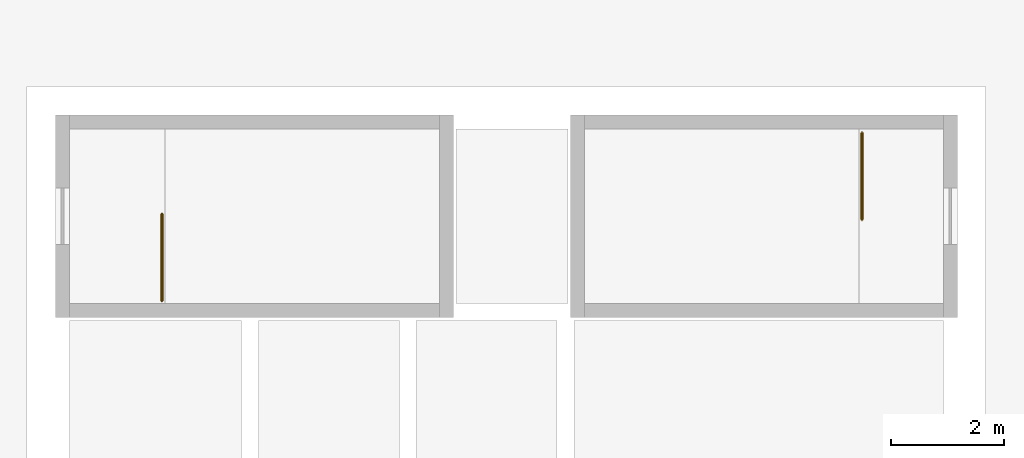
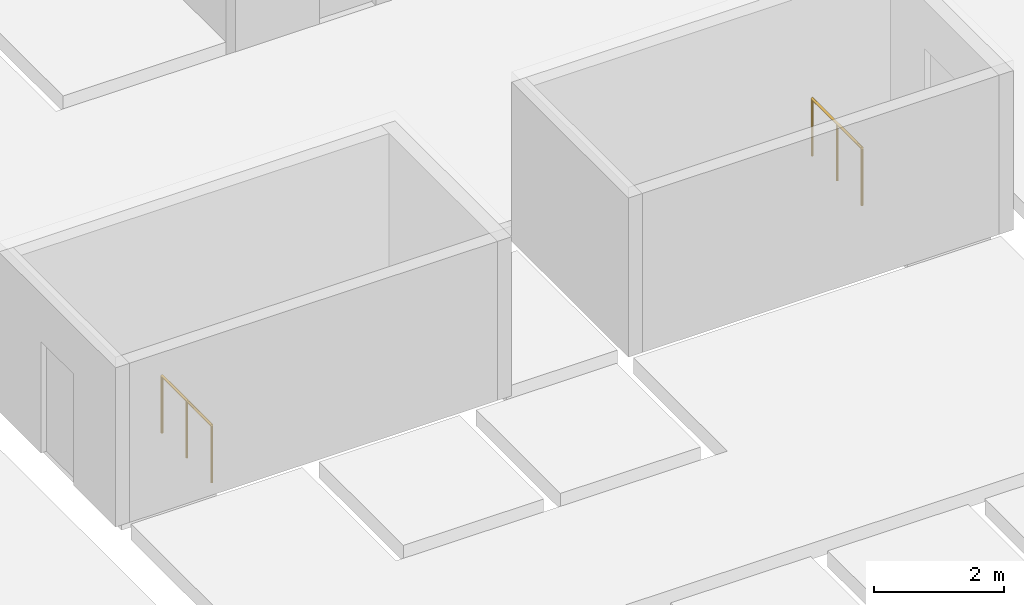
# One storey, part 12 of 12: 2 railings.
"""IFC4 building model written with IfcOpenShell, lengths in metres."""

import ifcopenshell
import ifcopenshell.guid

model = None  # the IFC model being written
_history = None  # IfcOwnerHistory: only IFC2X3 demands one
_inside = {}  # id of a spatial element -> (the spatial element, [elements in it])
_under = {}  # id of a project, library or spatial element -> (it, [spatial elements below it])
_declared = {}  # id of a project -> (the project, [libraries it declares])
_typed = {}  # id of a type object -> (the type object, [elements of that type])
_made_of = {}  # id of a material, layer set ... -> (it, [elements and type objects made of it])


def new_model(schema):
    """Start an empty IFC model of exactly this schema.

    Asked for "IFC4X3", IfcOpenShell would pick the latest addendum, in which some entities
    have other attributes; the version numbers below select the first issue.
    IFC2X3 requires an IfcOwnerHistory on every rooted entity: one is made here for all.
    """
    global model, _history
    if schema == "IFC4X3":
        model = ifcopenshell.file(schema_version=(4, 3, 0, 0))
    else:
        model = ifcopenshell.file(schema=schema)
    _inside.clear()
    _under.clear()
    _declared.clear()
    _typed.clear()
    _made_of.clear()
    _history = None
    if model.schema == "IFC2X3":
        org = make("IfcOrganization", Name="unknown")
        user = make(
            "IfcPersonAndOrganization",
            ThePerson=make("IfcPerson", FamilyName="unknown"),
            TheOrganization=org,
        )
        app = make(
            "IfcApplication",
            ApplicationDeveloper=org,
            Version="unknown",
            ApplicationFullName="unknown",
            ApplicationIdentifier="unknown",
        )
        _history = make(
            "IfcOwnerHistory",
            OwningUser=user,
            OwningApplication=app,
            ChangeAction="ADDED",
            CreationDate=0,
        )
    return model


def make(cls, **values):
    """One entity of the class cls with the attributes given. An attribute that is None is left unset."""
    return model.create_entity(
        cls, **{name: value for name, value in values.items() if value is not None}
    )


def rooted(cls, **values):
    """An entity with a GlobalId (a new one), such as an element, a storey or a relation."""
    return make(cls, GlobalId=ifcopenshell.guid.new(), OwnerHistory=_history, **values)


def si_unit(unit_type, name, prefix=None):
    """IfcSIUnit, for example si_unit("LENGTHUNIT", "METRE", prefix="MILLI")."""
    return make("IfcSIUnit", UnitType=unit_type, Prefix=prefix, Name=name)


def assignment(units):
    """IfcUnitAssignment: the units of a project."""
    return None if units is None else make("IfcUnitAssignment", Units=units)


def point(xyz):
    """IfcCartesianPoint."""
    return None if xyz is None else make("IfcCartesianPoint", Coordinates=xyz)


def direction(xyz):
    """IfcDirection."""
    return None if xyz is None else make("IfcDirection", DirectionRatios=xyz)


def frame(location, z_axis=None, x_axis=None):
    """IfcAxis2Placement3D, a coordinate frame: its origin and axes. An axis left out is left unset."""
    return make(
        "IfcAxis2Placement3D",
        Location=point(location),
        Axis=direction(z_axis),
        RefDirection=direction(x_axis),
    )


def frame_2d(location, x_axis=None):
    """IfcAxis2Placement2D, a coordinate frame in the plane: its origin and x axis."""
    return make(
        "IfcAxis2Placement2D", Location=point(location), RefDirection=direction(x_axis)
    )


def origin():
    """The frame at (0, 0, 0) with its axes left unset."""
    return frame((0.0, 0.0, 0.0))


def origin_2d():
    """The frame at (0, 0) in the plane with its x axis left unset."""
    return frame_2d((0.0, 0.0))


def place(relative_to, where):
    """IfcLocalPlacement: puts the frame where relative to a parent placement (None: the world)."""
    return make(
        "IfcLocalPlacement", PlacementRelTo=relative_to, RelativePlacement=where
    )


def context(
    kind, dimensions, precision=None, world=None, true_north=None, identifier=None
):
    """IfcGeometricRepresentationContext, for example the 3D "Model" context."""
    return make(
        "IfcGeometricRepresentationContext",
        ContextIdentifier=identifier,
        ContextType=kind,
        CoordinateSpaceDimension=dimensions,
        Precision=precision,
        WorldCoordinateSystem=world,
        TrueNorth=true_north,
    )


def subcontext(parent, identifier, kind, view, scale=None):
    """IfcGeometricRepresentationSubContext, for example "Body" below "Model"."""
    return make(
        "IfcGeometricRepresentationSubContext",
        ContextIdentifier=identifier,
        ContextType=kind,
        ParentContext=parent,
        TargetScale=scale,
        TargetView=view,
    )


def project(units=None, contexts=None):
    """IfcProject with its units and contexts."""
    return rooted(
        "IfcProject",
        Name="project",
        RepresentationContexts=contexts,
        UnitsInContext=assignment(units),
    )


def spatial(cls, under=None, at=None, **own):
    """A site, building, storey or space (cls), placed at a placement, below another one or the project."""
    s = rooted(cls, ObjectPlacement=at, **own)
    if under is not None:
        _under.setdefault(under.id(), (under, []))[1].append(s)
    return s


def profile(cls, at=None, kind="AREA", **sizes):
    """A parametric profile (cls). Its sizes go by their IFC names, for example OverallWidth=200.0."""
    return make(cls, ProfileType=kind, Position=at, **sizes)


def circle(**sizes):
    """IfcCircleProfileDef."""
    return profile("IfcCircleProfileDef", **sizes)


def extrude(swept, where, along, depth):
    """IfcExtrudedAreaSolid: the profile swept, set in the frame where, extruded along a direction by depth."""
    return make(
        "IfcExtrudedAreaSolid",
        SweptArea=swept,
        Position=where,
        ExtrudedDirection=direction(along),
        Depth=depth,
    )


def shape(context_of_items, identifier, shape_type, items):
    """IfcShapeRepresentation: the items that make up one representation, for example the "Body"."""
    return make(
        "IfcShapeRepresentation",
        ContextOfItems=context_of_items,
        RepresentationIdentifier=identifier,
        RepresentationType=shape_type,
        Items=items,
    )


def material(Name=None, Category=None):
    """IfcMaterial."""
    return make("IfcMaterial", Name=Name, Category=Category)


def made_of(thing, what):
    """Note that an element or type object is made of a material, layer set ...; save() writes the relation."""
    if what is not None:
        _made_of.setdefault(what.id(), (what, []))[1].append(thing)
    return thing


def type_object(cls, material=None, **own):
    """A type object (cls), such as IfcWallType, which elements share."""
    return made_of(rooted(cls, **own), material)


def element(
    cls,
    number,
    at=None,
    inside=None,
    cuts=None,
    type_object=None,
    material=None,
    context=None,
    identifier="Body",
    shape_type=None,
    held_by="IfcProductDefinitionShape",
    body=None,
    shapes=None,
    **own,
):
    """One element of the class cls, such as IfcWall. Its Tag is "e" and its number.

    at: its placement. inside: the storey or other place that contains it. cuts: it is an
    opening in that element (IfcRelVoidsElement). A single representation is given by context,
    identifier, shape_type and body (its items); several are given by shapes. held_by: the class
    of the entity that holds the representations. save() writes the other relations.
    """
    e = rooted(cls, Tag="e%d" % number, ObjectPlacement=at, **own)
    if body is not None:
        shapes = [shape(context, identifier, shape_type, body)]
    if shapes is not None:
        e.Representation = make(held_by, Representations=shapes)
    if inside is not None:
        _inside.setdefault(inside.id(), (inside, []))[1].append(e)
    if cuts is not None:
        rooted(
            "IfcRelVoidsElement", RelatingBuildingElement=cuts, RelatedOpeningElement=e
        )
    if type_object is not None:
        _typed.setdefault(type_object.id(), (type_object, []))[1].append(e)
    return made_of(e, material)


def aggregate(whole, parts):
    """IfcRelAggregates: a whole, such as a stair, and the parts it consists of."""
    return rooted("IfcRelAggregates", RelatingObject=whole, RelatedObjects=parts)


def save(model, path):
    """Write the relations noted so far, then the file.

    IfcRelAggregates (storeys below a building ...), IfcRelContainedInSpatialStructure (elements
    in a storey), IfcRelDefinesByType, IfcRelAssociatesMaterial and IfcRelDeclares: one each for
    every whole, place, type object, material and project.
    """
    for whole, parts in _under.values():
        aggregate(whole, parts)
    for where, things in _inside.values():
        rooted(
            "IfcRelContainedInSpatialStructure",
            RelatedElements=things,
            RelatingStructure=where,
        )
    for kind, things in _typed.values():
        rooted("IfcRelDefinesByType", RelatedObjects=things, RelatingType=kind)
    for what, things in _made_of.values():
        rooted("IfcRelAssociatesMaterial", RelatedObjects=things, RelatingMaterial=what)
    for by, libraries in _declared.values():
        rooted("IfcRelDeclares", RelatingContext=by, RelatedDefinitions=libraries)
    model.write(path)


model = new_model("IFC4")

# Units and contexts
model_context = context("Model", 3, precision=1e-05, world=origin(), true_north=direction((0.0, 1.0)))
body_context = subcontext(model_context, "Body", "Model", "MODEL_VIEW")
ifc_project = project(units=[si_unit("LENGTHUNIT", "METRE"), si_unit("AREAUNIT", "SQUARE_METRE"), si_unit("VOLUMEUNIT", "CUBIC_METRE"), si_unit("PLANEANGLEUNIT", "RADIAN"), si_unit("MASSUNIT", "GRAM", prefix="KILO")], contexts=[model_context])

# Site, building, storey
site_placement = place(None, origin())
site = spatial("IfcSite", under=ifc_project, at=site_placement, CompositionType="ELEMENT")
building_placement = place(site_placement, origin())
building = spatial("IfcBuilding", under=site, at=building_placement, Name="Firuza Gate Tower and Library", CompositionType="ELEMENT")
storey_placement = place(building_placement, frame((0.0, 0.0, 339.60009765625)))
storey = spatial("IfcBuildingStorey", under=building, at=storey_placement, Name="Roof", CompositionType="ELEMENT", Elevation=339.60009765625)

# Railings
ifc_material = material(Name="Steel S355", Category="steel")
railing_type = type_object("IfcRailingType", Name="Stair guard 1100", PredefinedType="GUARDRAIL", material=ifc_material)
railing_1_placement = place(storey_placement, frame((68.889892578125, 77.949951171875, 0.0)))
element("IfcRailing", 1, at=railing_1_placement, inside=storey, type_object=railing_type, Name="Roof ST1 top well guard 1", PredefinedType="GUARDRAIL", context=body_context, shape_type="SweptSolid", body=[
    extrude(circle(Radius=0.02392578125, at=origin_2d()), frame((0.0, 0.0, 1.076171875), z_axis=(0.0, 1.0, 0.0), x_axis=(-1.0, 0.0, 0.0)), (0.0, 0.0, 1.0), 1.5400390625),
    extrude(circle(Radius=0.02099609375, at=origin_2d()), origin(), (0.0, 0.0, 1.0), 1.052001953125),
    extrude(circle(Radius=0.02099609375, at=origin_2d()), frame((0.0, 0.77001953125, 0.0)), (0.0, 0.0, 1.0), 1.052001953125),
    extrude(circle(Radius=0.02099609375, at=origin_2d()), frame((0.0, 1.5400390625, 0.0)), (0.0, 0.0, 1.0), 1.052001953125),
])
railing_2_placement = place(storey_placement, frame((81.31005859375, 80.929931640625, 0.0)))
element("IfcRailing", 2, at=railing_2_placement, inside=storey, type_object=railing_type, Name="Roof ST2 top well guard 1", PredefinedType="GUARDRAIL", context=body_context, shape_type="SweptSolid", body=[
    extrude(circle(Radius=0.02392578125, at=origin_2d()), frame((0.0, 0.0, 1.076171875), z_axis=(0.0, -1.0, 0.0), x_axis=(1.0, 0.0, 0.0)), (0.0, 0.0, 1.0), 1.5400390625),
    extrude(circle(Radius=0.02099609375, at=origin_2d()), origin(), (0.0, 0.0, 1.0), 1.052001953125),
    extrude(circle(Radius=0.02099609375, at=origin_2d()), frame((0.0, -0.77001953125, 0.0)), (0.0, 0.0, 1.0), 1.052001953125),
    extrude(circle(Radius=0.02099609375, at=origin_2d()), frame((0.0, -1.5400390625, 0.0)), (0.0, 0.0, 1.0), 1.052001953125),
])

save(model, "model.ifc")
